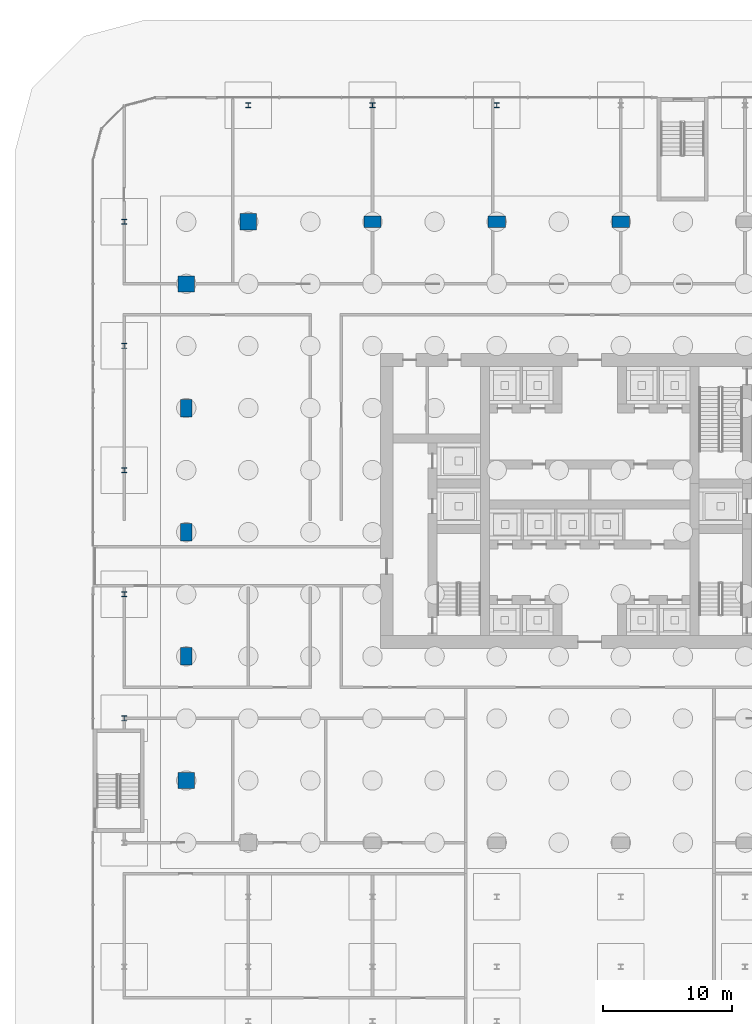
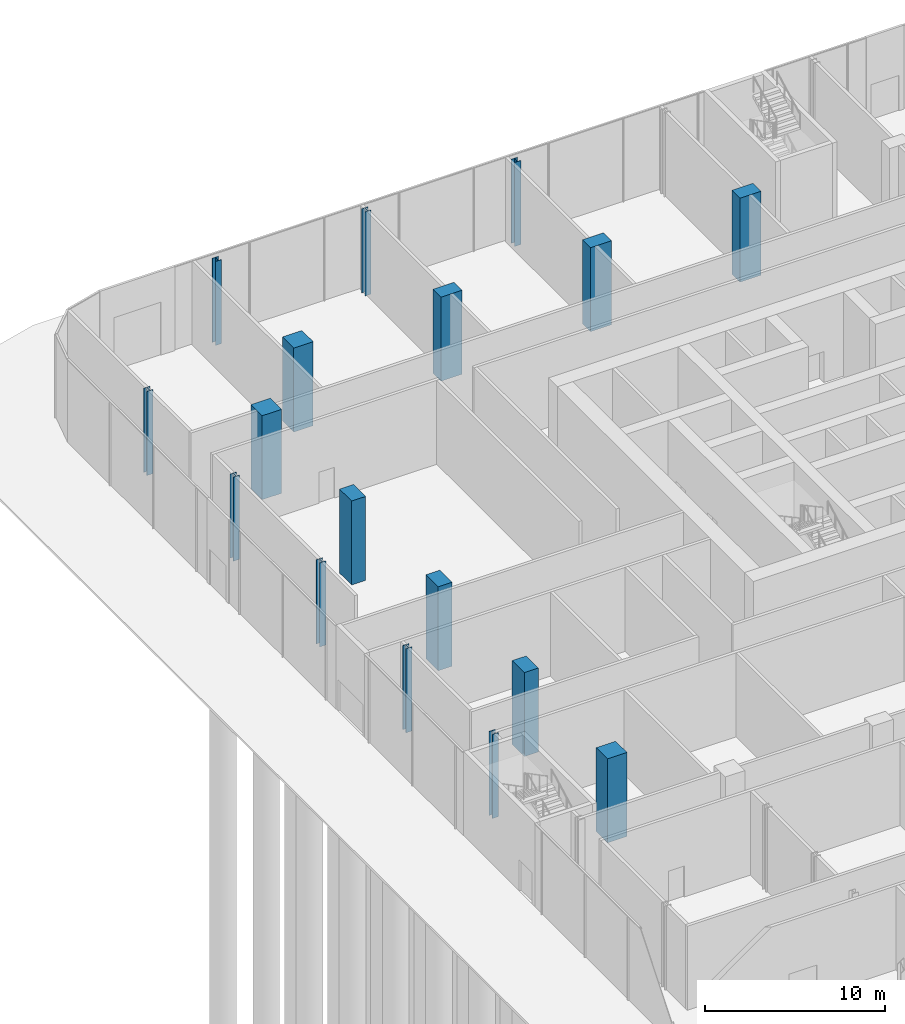
# One storey, part 6 of 44: 17 columns.
"""IFC4 building model written with IfcOpenShell, lengths in metres."""

from ifc_helpers import new_model, si_unit, direction, frame, origin, origin_2d, place, context, subcontext, project, spatial, rectangle, i_section, extrude, material, material_profile, profile_set, type_object, element, save


model = new_model("IFC4")

# Units and contexts
model_context = context("Model", 3, precision=1e-05, world=origin(), true_north=direction((0.0, 1.0)))
body_context = subcontext(model_context, "Body", "Model", "MODEL_VIEW")
ifc_project = project(units=[si_unit("LENGTHUNIT", "METRE"), si_unit("AREAUNIT", "SQUARE_METRE"), si_unit("VOLUMEUNIT", "CUBIC_METRE"), si_unit("PLANEANGLEUNIT", "RADIAN"), si_unit("MASSUNIT", "GRAM", prefix="KILO")], contexts=[model_context])

# Site, building, storey
site_placement = place(None, origin())
site = spatial("IfcSite", under=ifc_project, at=site_placement, CompositionType="ELEMENT")
building_placement = place(site_placement, origin())
building = spatial("IfcBuilding", under=site, at=building_placement, Name="Madar Terraces", CompositionType="ELEMENT")
storey_placement = place(building_placement, origin())
storey = spatial("IfcBuildingStorey", under=building, at=storey_placement, Name="L00", CompositionType="ELEMENT", Elevation=0.0)

# Columns
ifc_material_1 = material(Name="Concrete C80/95", Category="concrete")
ifc_material_profile_1 = material_profile(ifc_material_1, rectangle(XDim=1.35009765625, YDim=0.89990234375, at=origin_2d()), Name="CC1 RC 1350x900")
ifc_profile_set_1 = profile_set([ifc_material_profile_1], Name="Concrete C80/95")
column_type_1 = type_object("IfcColumnType", Name="CC1 RC 1350x900", PredefinedType="COLUMN", material=ifc_profile_set_1)
for number, where, z_axis, x_axis, name in (
    (1, (33.60009765625, 48.0, 0.0), (0.0, 0.0, 1.0), (1.0, 0.0, 0.0), "Perimeter column N3"),
    (2, (24.0, 48.0, 0.0), (0.0, 0.0, 1.0), (1.0, 0.0, 0.0), "Perimeter column N4"),
    (3, (14.39990234375, 48.0, 0.0), (0.0, 0.0, 1.0), (1.0, 0.0, 0.0), "Perimeter column N5"),
    (4, (0.0, 33.60009765625, 0.0), (0.0, 0.0, 1.0), (0.0, 1.0, 0.0), "Perimeter column W2"),
    (5, (0.0, 24.0, 0.0), (0.0, 0.0, 1.0), (0.0, 1.0, 0.0), "Perimeter column W3"),
    (6, (0.0, 14.39990234375, 0.0), (0.0, 0.0, 1.0), (0.0, 1.0, 0.0), "Perimeter column W4"),
):
    element("IfcColumn", number, at=place(storey_placement, frame(where, z_axis=z_axis, x_axis=x_axis)), inside=storey, type_object=column_type_1, Name=name, PredefinedType="COLUMN", context=body_context, shape_type="SweptSolid", body=[
        extrude(rectangle(XDim=1.35009765625, YDim=0.89990234375, at=origin_2d()), origin(), (0.0, 0.0, 1.0), 5.699951171875),
    ])
ifc_material_2 = material(Name="Concrete C80/95", Category="concrete")
ifc_material_profile_2 = material_profile(ifc_material_2, rectangle(XDim=1.25, YDim=1.25, at=origin_2d()), Name="KC1 RC 1250x1250")
ifc_profile_set_2 = profile_set([ifc_material_profile_2], Name="Concrete C80/95")
column_type_2 = type_object("IfcColumnType", Name="KC1 RC 1250x1250", PredefinedType="COLUMN", material=ifc_profile_set_2)
for number, where, z_axis, x_axis, name in (
    (7, (4.800048828125, 48.0, 0.0), (0.0, 0.0, 1.0), (1.0, 0.0, 0.0), "Perimeter column N6"),
    (8, (0.0, 43.199951171875, 0.0), (0.0, 0.0, 1.0), (1.0, 0.0, 0.0), "Perimeter column W1"),
    (9, (0.0, 4.800048828125, 0.0), (0.0, 0.0, 1.0), (1.0, 0.0, 0.0), "Perimeter column W5"),
):
    element("IfcColumn", number, at=place(storey_placement, frame(where, z_axis=z_axis, x_axis=x_axis)), inside=storey, type_object=column_type_2, Name=name, PredefinedType="COLUMN", context=body_context, shape_type="SweptSolid", body=[
        extrude(rectangle(XDim=1.25, YDim=1.25, at=origin_2d()), origin(), (0.0, 0.0, 1.0), 5.699951171875),
    ])
ifc_material_3 = material(Name="Steel ASTM A992 Grade 50", Category="steel")
ifc_material_profile_3 = material_profile(ifc_material_3, i_section(OverallWidth=0.396240234375, OverallDepth=0.381103515625, WebThickness=0.01904296875, FlangeThickness=0.0302734375, at=origin_2d()), Name="W14x159")
ifc_profile_set_3 = profile_set([ifc_material_profile_3], Name="Steel ASTM A992 Grade 50")
column_type_3 = type_object("IfcColumnType", Name="PC2 W14x159", PredefinedType="COLUMN", material=ifc_profile_set_3)
for number, where, z_axis, x_axis, name in (
    (10, (-4.800048828125, 9.60009765625, 0.0), (0.0, 0.0, 1.0), (1.0, 0.0, 0.0), "Podium column PC2"),
    (11, (-4.800048828125, 19.199951171875, 0.0), (0.0, 0.0, 1.0), (1.0, 0.0, 0.0), "Podium column PC2"),
    (12, (-4.800048828125, 28.800048828125, 0.0), (0.0, 0.0, 1.0), (1.0, 0.0, 0.0), "Podium column PC2"),
    (13, (-4.800048828125, 38.39990234375, 0.0), (0.0, 0.0, 1.0), (1.0, 0.0, 0.0), "Podium column PC2"),
    (14, (-4.800048828125, 48.0, 0.0), (0.0, 0.0, 1.0), (1.0, 0.0, 0.0), "Podium column PC2"),
    (15, (4.800048828125, 57.0, 0.0), (0.0, 0.0, 1.0), (1.0, 0.0, 0.0), "Podium column PC2"),
    (16, (14.39990234375, 57.0, 0.0), (0.0, 0.0, 1.0), (1.0, 0.0, 0.0), "Podium column PC2"),
    (17, (24.0, 57.0, 0.0), (0.0, 0.0, 1.0), (1.0, 0.0, 0.0), "Podium column PC2"),
):
    element("IfcColumn", number, at=place(storey_placement, frame(where, z_axis=z_axis, x_axis=x_axis)), inside=storey, type_object=column_type_3, Name=name, PredefinedType="COLUMN", context=body_context, shape_type="SweptSolid", body=[
        extrude(i_section(OverallWidth=0.396240234375, OverallDepth=0.381103515625, WebThickness=0.01904296875, FlangeThickness=0.0302734375, at=origin_2d()), origin(), (0.0, 0.0, 1.0), 5.699951171875),
    ])

save(model, "model.ifc")
